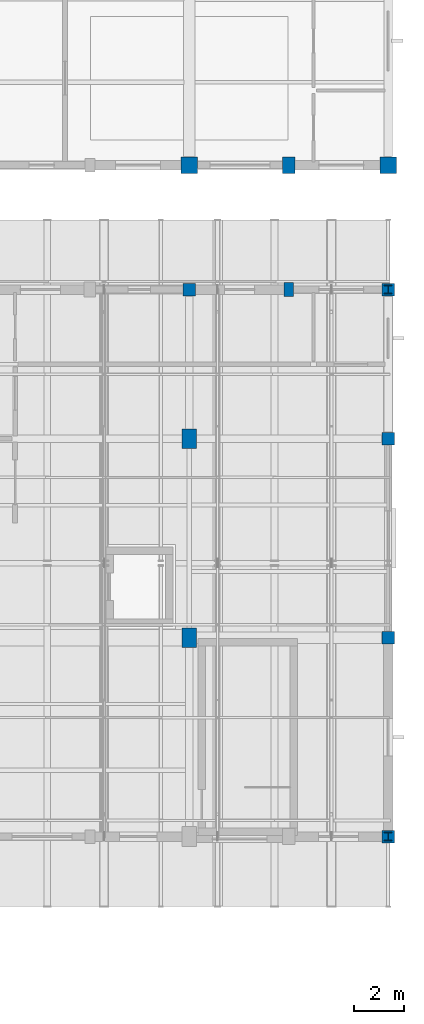
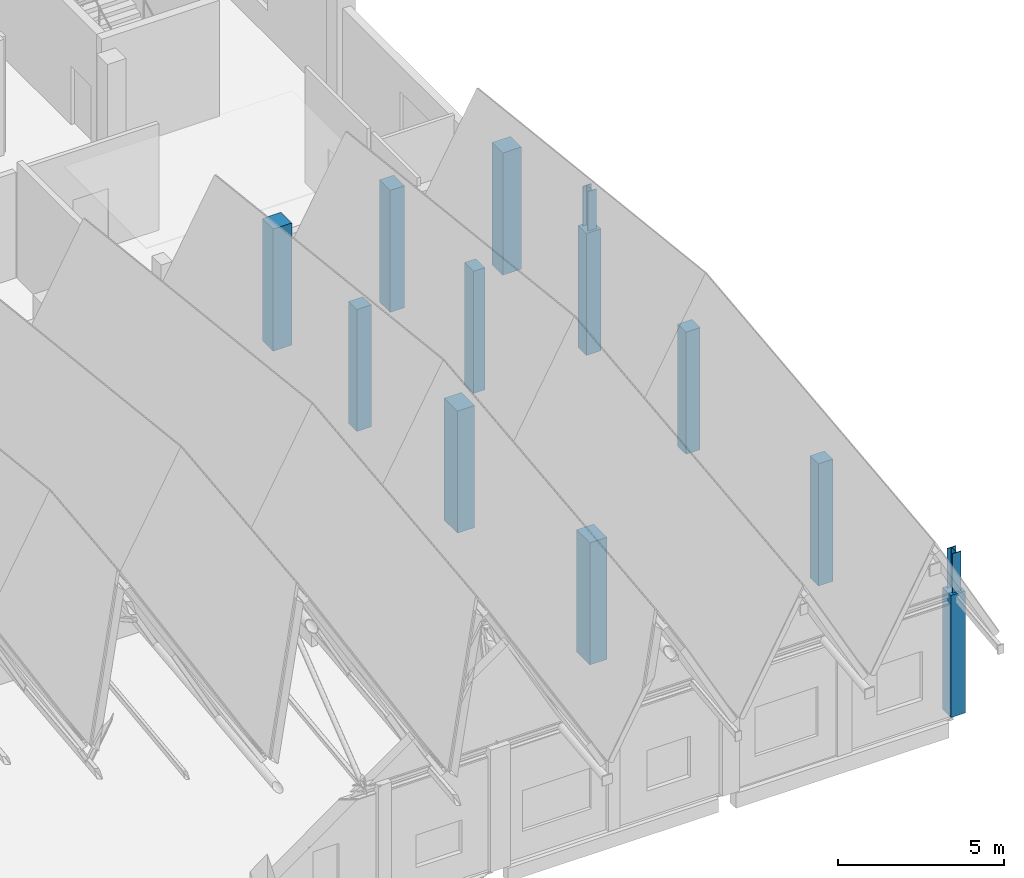
# One storey, part 5 of 48: 13 columns.
"""IFC4 building model written with IfcOpenShell, lengths in metres."""

from ifc_helpers import new_model, si_unit, direction, frame, origin, origin_2d, place, context, subcontext, project, spatial, rectangle, i_section, extrude, material, material_profile, profile_set, type_object, element, save


model = new_model("IFC4")

# Units and contexts
model_context = context("Model", 3, precision=1e-05, world=origin(), true_north=direction((0.0, 1.0)))
body_context = subcontext(model_context, "Body", "Model", "MODEL_VIEW")
ifc_project = project(units=[si_unit("LENGTHUNIT", "METRE"), si_unit("AREAUNIT", "SQUARE_METRE"), si_unit("VOLUMEUNIT", "CUBIC_METRE"), si_unit("PLANEANGLEUNIT", "RADIAN"), si_unit("MASSUNIT", "GRAM", prefix="KILO")], contexts=[model_context])

# Site, building, storey
site_placement = place(None, origin())
site = spatial("IfcSite", under=ifc_project, at=site_placement, CompositionType="ELEMENT")
building_placement = place(site_placement, origin())
building = spatial("IfcBuilding", under=site, at=building_placement, Name="Luwemba Playhouse", CompositionType="ELEMENT")
storey_placement = place(building_placement, frame((0.0, 0.0, 13.800048828125)))
storey = spatial("IfcBuildingStorey", under=building, at=storey_placement, Name="L03", CompositionType="ELEMENT", Elevation=13.800048828125)

# Columns
ifc_material_1 = material(Name="Concrete C40/50", Category="concrete")
ifc_material_profile_1 = material_profile(ifc_material_1, rectangle(XDim=0.5, YDim=0.5, at=origin_2d()))
ifc_profile_set_1 = profile_set([ifc_material_profile_1], Name="Concrete C40/50")
column_type_1 = type_object("IfcColumnType", Name="COL-C02", PredefinedType="COLUMN", material=ifc_profile_set_1)
for number, where, z_axis, x_axis, name in (
    (1, (164.0, 90.0, 0.0), (0.0, 0.0, 1.0), (1.0, 0.0, 0.0), "L03 column 275"),
    (2, (172.0, 68.0, 0.0), (0.0, 0.0, 1.0), (1.0, 0.0, 0.0), "L03 column 295"),
    (3, (172.0, 76.0, 0.0), (0.0, 0.0, 1.0), (1.0, 0.0, 0.0), "L03 column 296"),
    (4, (172.0, 84.0, 0.0), (0.0, 0.0, 1.0), (1.0, 0.0, 0.0), "L03 column 297"),
    (5, (172.0, 90.0, 0.0), (0.0, 0.0, 1.0), (1.0, 0.0, 0.0), "L03 column 298"),
):
    element("IfcColumn", number, at=place(storey_placement, frame(where, z_axis=z_axis, x_axis=x_axis)), inside=storey, type_object=column_type_1, Name=name, PredefinedType="COLUMN", context=body_context, shape_type="SweptSolid", body=[
        extrude(rectangle(XDim=0.5, YDim=0.5, at=origin_2d()), origin(), (0.0, 0.0, 1.0), 4.5),
    ])
ifc_material_profile_2 = material_profile(ifc_material_1, rectangle(XDim=0.64990234375, YDim=0.64990234375, at=origin_2d()))
ifc_profile_set_2 = profile_set([ifc_material_profile_2], Name="Concrete C40/50")
column_type_2 = type_object("IfcColumnType", Name="COL-C05", PredefinedType="COLUMN", material=ifc_profile_set_2)
for number, where, z_axis, x_axis, name in (
    (6, (164.0, 95.0, 0.0), (0.0, 0.0, 1.0), (1.0, 0.0, 0.0), "L03 column 276"),
    (7, (172.0, 95.0, 0.0), (0.0, 0.0, 1.0), (1.0, 0.0, 0.0), "L03 column 299"),
):
    element("IfcColumn", number, at=place(storey_placement, frame(where, z_axis=z_axis, x_axis=x_axis)), inside=storey, type_object=column_type_2, Name=name, PredefinedType="COLUMN", context=body_context, shape_type="SweptSolid", body=[
        extrude(rectangle(XDim=0.64990234375, YDim=0.64990234375, at=origin_2d()), origin(), (0.0, 0.0, 1.0), 4.5),
    ])
ifc_material_profile_3 = material_profile(ifc_material_1, rectangle(XDim=0.60009765625, YDim=0.800048828125, at=origin_2d()))
ifc_profile_set_3 = profile_set([ifc_material_profile_3], Name="Concrete C40/50")
column_type_3 = type_object("IfcColumnType", Name="COL-C12", PredefinedType="COLUMN", material=ifc_profile_set_3)
for number, where, z_axis, x_axis, name in (
    (8, (164.0, 76.0, 0.0), (0.0, 0.0, 1.0), (1.0, 0.0, 0.0), "L03 column 273"),
    (9, (164.0, 84.0, 0.0), (0.0, 0.0, 1.0), (1.0, 0.0, 0.0), "L03 column 274"),
):
    element("IfcColumn", number, at=place(storey_placement, frame(where, z_axis=z_axis, x_axis=x_axis)), inside=storey, type_object=column_type_3, Name=name, PredefinedType="COLUMN", context=body_context, shape_type="SweptSolid", body=[
        extrude(rectangle(XDim=0.60009765625, YDim=0.800048828125, at=origin_2d()), origin(), (0.0, 0.0, 1.0), 4.5),
    ])
ifc_material_profile_4 = material_profile(ifc_material_1, rectangle(XDim=0.39990234375, YDim=0.550048828125, at=origin_2d()))
ifc_profile_set_4 = profile_set([ifc_material_profile_4], Name="Concrete C40/50")
column_type_4 = type_object("IfcColumnType", Name="COL-PIL1", PredefinedType="PILASTER", material=ifc_profile_set_4)
column_1_placement = place(storey_placement, frame((168.0, 90.0, 0.0), z_axis=(0.0, 0.0, 1.0), x_axis=(1.0, 0.0, 0.0)))
element("IfcColumn", 10, at=column_1_placement, inside=storey, type_object=column_type_4, Name="L03 column 284", PredefinedType="PILASTER", context=body_context, shape_type="SweptSolid", body=[
    extrude(rectangle(XDim=0.39990234375, YDim=0.550048828125, at=origin_2d()), origin(), (0.0, 0.0, 1.0), 4.5),
])
ifc_material_profile_5 = material_profile(ifc_material_1, rectangle(XDim=0.5, YDim=0.64990234375, at=origin_2d()))
ifc_profile_set_5 = profile_set([ifc_material_profile_5], Name="Concrete C40/50")
column_type_5 = type_object("IfcColumnType", Name="COL-PIL3", PredefinedType="PILASTER", material=ifc_profile_set_5)
column_2_placement = place(storey_placement, frame((168.0, 95.0, 0.0), z_axis=(0.0, 0.0, 1.0), x_axis=(1.0, 0.0, 0.0)))
element("IfcColumn", 11, at=column_2_placement, inside=storey, type_object=column_type_5, Name="L03 column 285", PredefinedType="PILASTER", context=body_context, shape_type="SweptSolid", body=[
    extrude(rectangle(XDim=0.5, YDim=0.64990234375, at=origin_2d()), origin(), (0.0, 0.0, 1.0), 4.5),
])
ifc_material_2 = material(Name="Steel S355", Category="steel")
ifc_material_profile_6 = material_profile(ifc_material_2, i_section(OverallWidth=0.300048828125, OverallDepth=0.340087890625, WebThickness=0.011962890625, FlangeThickness=0.021484375, FilletRadius=0.027099609375, at=origin_2d()))
ifc_profile_set_6 = profile_set([ifc_material_profile_6], Name="Steel S355")
column_type_6 = type_object("IfcColumnType", Name="COL-SC2", PredefinedType="COLUMN", material=ifc_profile_set_6)
for number, where, z_axis, x_axis, name in (
    (12, (172.0, 68.0, 4.5), (0.0, 0.0, 1.0), (1.0, 0.0, 0.0), "RF-V4 south corner apex stub"),
    (13, (172.0, 90.0, 4.5), (0.0, 0.0, 1.0), (1.0, 0.0, 0.0), "RF-V4 north corner apex stub"),
):
    element("IfcColumn", number, at=place(storey_placement, frame(where, z_axis=z_axis, x_axis=x_axis)), inside=storey, type_object=column_type_6, Name=name, PredefinedType="COLUMN", context=body_context, shape_type="SweptSolid", body=[
        extrude(i_section(OverallWidth=0.300048828125, OverallDepth=0.340087890625, WebThickness=0.011962890625, FlangeThickness=0.021484375, FilletRadius=0.027099609375, at=origin_2d()), origin(), (0.0, 0.0, 1.0), 1.453857421875),
    ])

save(model, "model.ifc")
